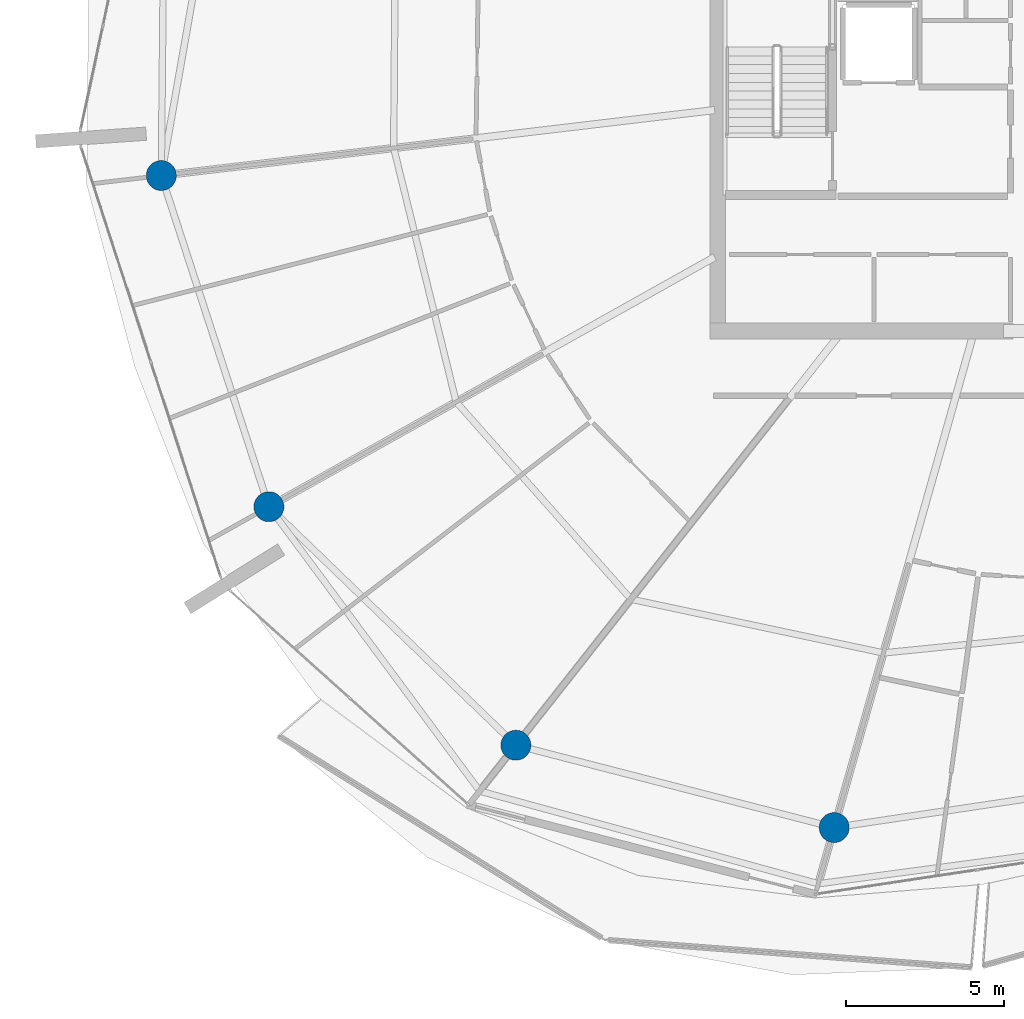
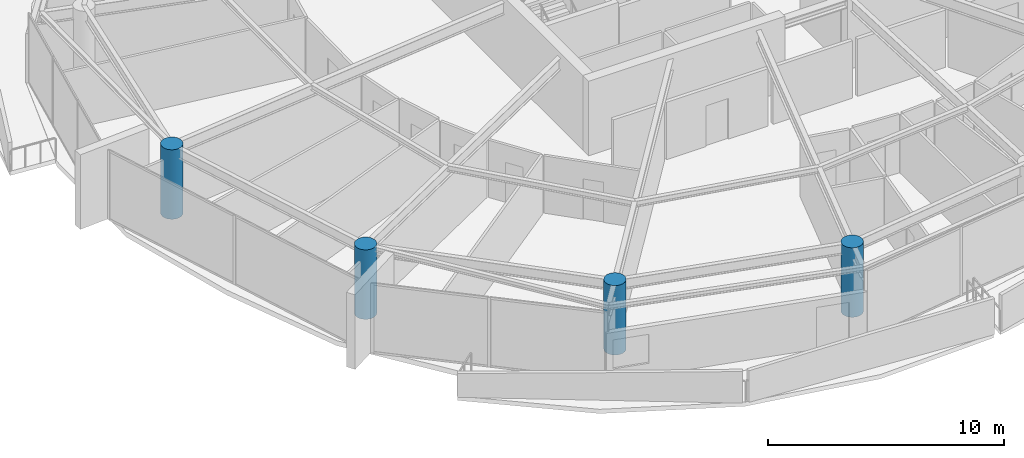
# One storey, part 1 of 30: 4 columns.
"""IFC4 building model written with IfcOpenShell, lengths in metres."""

from ifc_helpers import new_model, si_unit, direction, frame, origin, origin_2d, place, context, subcontext, project, spatial, circle, extrude, material, material_profile, profile_set, type_object, element, save


model = new_model("IFC4")

# Units and contexts
model_context = context("Model", 3, precision=1e-05, world=origin(), true_north=direction((0.0, 1.0)))
body_context = subcontext(model_context, "Body", "Model", "MODEL_VIEW")
ifc_project = project(units=[si_unit("LENGTHUNIT", "METRE"), si_unit("AREAUNIT", "SQUARE_METRE"), si_unit("VOLUMEUNIT", "CUBIC_METRE"), si_unit("PLANEANGLEUNIT", "RADIAN"), si_unit("MASSUNIT", "GRAM", prefix="KILO")], contexts=[model_context])

# Site, building, storey
site_placement = place(None, origin())
site = spatial("IfcSite", under=ifc_project, at=site_placement, CompositionType="ELEMENT")
building_placement = place(site_placement, origin())
building = spatial("IfcBuilding", under=site, at=building_placement, Name="Kazma Halo Residences", CompositionType="ELEMENT")
storey_placement = place(building_placement, frame((0.0, 0.0, 298.300048828125)))
storey = spatial("IfcBuildingStorey", under=building, at=storey_placement, Name="L75", CompositionType="ELEMENT", Elevation=298.300048828125)

# Columns
ifc_material = material(Name="Concrete C60/75", Category="concrete")
ifc_material_profile = material_profile(ifc_material, circle(Radius=0.47509765625, at=origin_2d()), Name="CIRC950")
ifc_profile_set = profile_set([ifc_material_profile], Name="Concrete C60/75")
column_type = type_object("IfcColumnType", Name="COL-PERIM-950", PredefinedType="COLUMN", material=ifc_profile_set)
for number, where, z_axis, x_axis, name in (
    (1, (19.92041015625, 38.676513671875, 0.0), (0.0, 0.0, 1.0), (1.0, 0.0, 0.0), "L75 perimeter ring column P08"),
    (2, (23.32958984375, 28.18408203125, 0.0), (0.0, 0.0, 1.0), (1.0, 0.0, 0.0), "L75 perimeter ring column P09"),
    (3, (31.15283203125, 20.62939453125, 0.0), (0.0, 0.0, 1.0), (1.0, 0.0, 0.0), "L75 perimeter ring column P10"),
    (4, (41.237060546875, 18.0205078125, 0.0), (0.0, 0.0, 1.0), (1.0, 0.0, 0.0), "L75 perimeter ring column P11"),
):
    element("IfcColumn", number, at=place(storey_placement, frame(where, z_axis=z_axis, x_axis=x_axis)), inside=storey, type_object=column_type, Name=name, PredefinedType="COLUMN", context=body_context, shape_type="SweptSolid", body=[
        extrude(circle(Radius=0.47509765625, at=origin_2d()), origin(), (0.0, 0.0, 1.0), 3.58984375),
    ])

save(model, "model.ifc")
